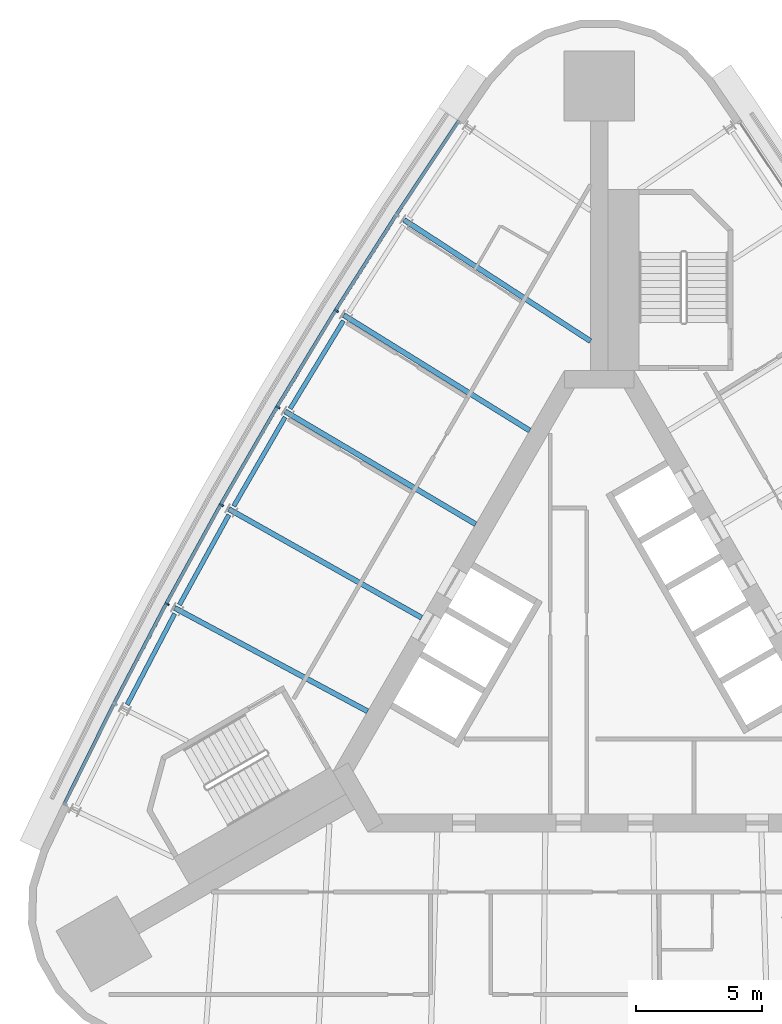
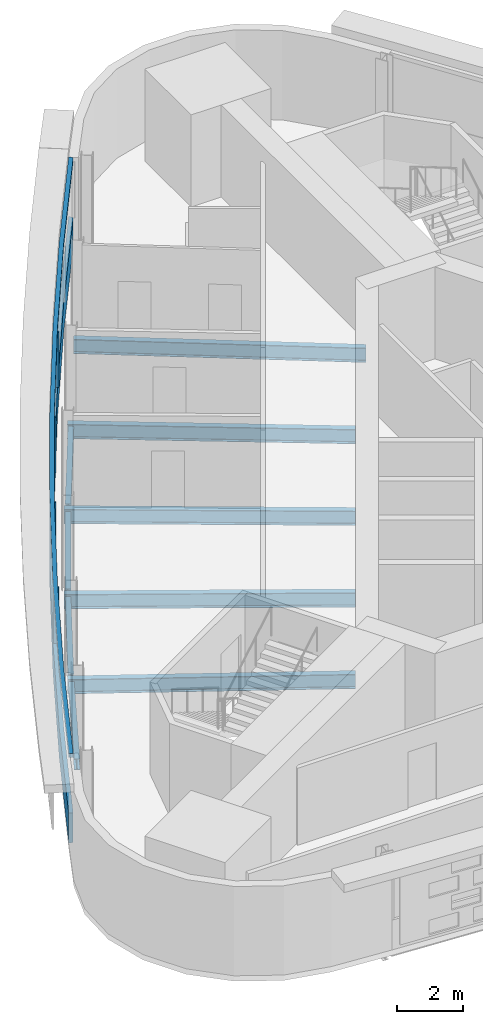
# One storey, part 5 of 15: 9 beams, 6 members, 1 element without a shape of its own.
"""IFC4 building model written with IfcOpenShell, lengths in metres."""

from ifc_helpers import new_model, si_unit, direction, frame, origin, origin_2d, place, context, subcontext, project, spatial, polyline, rectangle, i_section, outline, extrude, material, material_profile, profile_set, type_object, element, aggregate, save


model = new_model("IFC4")

# Units and contexts
model_context = context("Model", 3, precision=1e-05, world=origin(), true_north=direction((0.0, 1.0)))
body_context = subcontext(model_context, "Body", "Model", "MODEL_VIEW")
ifc_project = project(units=[si_unit("LENGTHUNIT", "METRE"), si_unit("AREAUNIT", "SQUARE_METRE"), si_unit("VOLUMEUNIT", "CUBIC_METRE"), si_unit("PLANEANGLEUNIT", "RADIAN"), si_unit("MASSUNIT", "GRAM", prefix="KILO")], contexts=[model_context])

# Site, building, storey
site_placement = place(None, origin())
site = spatial("IfcSite", under=ifc_project, at=site_placement, CompositionType="ELEMENT")
building_placement = place(site_placement, origin())
building = spatial("IfcBuilding", under=site, at=building_placement, Name="Noor Cloister Tower", CompositionType="ELEMENT")
storey_placement = place(building_placement, frame((0.0, 0.0, 177.89990234375)))
storey = spatial("IfcBuildingStorey", under=building, at=storey_placement, Name="L45", CompositionType="ELEMENT", Elevation=177.89990234375)

# Curtain wall, members
ifc_material_1 = material(Name="Aluminium 6063-T6 anodised", Category="aluminium")
curtain_wall_type = type_object("IfcCurtainWallType", Name="Ribbon curtain wall, upper tower CW5", PredefinedType="NOTDEFINED", material=ifc_material_1)
curtain_wall_placement = place(storey_placement, origin())
curtain_wall = element("IfcCurtainWall", 1, at=curtain_wall_placement, inside=storey, type_object=curtain_wall_type, Name="CW5 L45 NW run 1", PredefinedType="NOTDEFINED")
ifc_material_2 = material(Name="Aluminium 6063-T6 anodised", Category="aluminium")
member_type_1 = type_object("IfcMemberType", Name="Head transom CW5 150", PredefinedType="USERDEFINED", material=ifc_material_2)
member_1_placement = place(storey_placement, frame((0.0, 0.0, 3.150146484375)))
member_1 = element("IfcMember", 2, at=member_1_placement, type_object=member_type_1, Name="CW5 head transom", ObjectType="TRANSOM", PredefinedType="USERDEFINED", context=body_context, shape_type="SweptSolid", body=[
    extrude(outline(polyline([(-5.65234375, 21.43310546875), (-8.145263671875, 17.68701171875), (-10.55810546875, 13.888671875), (-12.89013671875, 10.0400390625), (-15.14013671875, 6.14306640625), (-17.30712890625, 2.19921875), (-19.389892578125, -1.78955078125), (-21.387939453125, -5.821533203125), (-21.262451171875, -5.8837890625), (-19.26513671875, -1.85302734375), (-17.18359375, 2.133056640625), (-15.01806640625, 6.074462890625), (-12.76953125, 9.96875), (-10.439208984375, 13.81494140625), (-8.02783203125, 17.610595703125), (-5.53564453125, 21.355712890625), (-5.65234375, 21.43310546875)])), origin(), (0.0, 0.0, 1.0), 0.14990234375),
])
ifc_material_3 = material(Name="Aluminium 6063-T6 anodised", Category="aluminium")
ifc_material_profile_1 = material_profile(ifc_material_3, rectangle(XDim=0.179931640625, YDim=0.070068359375, at=origin_2d()), Name="180 x 70 mullion")
ifc_profile_set_1 = profile_set([ifc_material_profile_1], Name="Aluminium 6063-T6 anodised")
member_type_2 = type_object("IfcMemberType", Name="Mullion CW5 70 x 180", PredefinedType="MULLION", material=ifc_profile_set_1)
member_2_placement = place(storey_placement, frame((-10.47314453125, 13.8359375, 1.10009765625), z_axis=(0.0, 0.0, 1.0), x_axis=(0.849704797145, -0.527258719899, 0.0)))
member_2 = element("IfcMember", 3, at=member_2_placement, type_object=member_type_2, Name="CW5 mullion 3", PredefinedType="MULLION", context=body_context, shape_type="SweptSolid", body=[
    extrude(rectangle(XDim=0.179931640625, YDim=0.070068359375, at=origin_2d()), origin(), (0.0, 0.0, 1.0), 2.050048828125),
])
member_3_placement = place(storey_placement, frame((-12.803955078125, 9.9892578125, 1.10009765625), z_axis=(0.0, 0.0, 1.0), x_axis=(0.860681535601, -0.509143687259, 0.0)))
member_3 = element("IfcMember", 4, at=member_3_placement, type_object=member_type_2, Name="CW5 mullion 4", PredefinedType="MULLION", context=body_context, shape_type="SweptSolid", body=[
    extrude(rectangle(XDim=0.179931640625, YDim=0.070068359375, at=origin_2d()), origin(), (0.0, 0.0, 1.0), 2.050048828125),
])
member_4_placement = place(storey_placement, frame((-15.052978515625, 6.093994140625, 1.10009765625), z_axis=(0.0, 0.0, 1.0), x_axis=(0.871272135143, -0.490800230769, 0.0)))
member_4 = element("IfcMember", 5, at=member_4_placement, type_object=member_type_2, Name="CW5 mullion 5", PredefinedType="MULLION", context=body_context, shape_type="SweptSolid", body=[
    extrude(rectangle(XDim=0.179931640625, YDim=0.070068359375, at=origin_2d()), origin(), (0.0, 0.0, 1.0), 2.050048828125),
])
member_5_placement = place(storey_placement, frame((-17.21875, 2.152099609375, 1.10009765625), z_axis=(0.0, 0.0, 1.0), x_axis=(0.881471844372, -0.472236580095, 0.0)))
member_5 = element("IfcMember", 6, at=member_5_placement, type_object=member_type_2, Name="CW5 mullion 6", PredefinedType="MULLION", context=body_context, shape_type="SweptSolid", body=[
    extrude(rectangle(XDim=0.179931640625, YDim=0.070068359375, at=origin_2d()), origin(), (0.0, 0.0, 1.0), 2.050048828125),
])

# Beams
ifc_material_4 = material(Name="Steel ASTM A992 Gr 50", Category="steel")
ifc_material_profile_2 = material_profile(ifc_material_4, i_section(OverallWidth=0.208984375, OverallDepth=0.532958984375, WebThickness=0.01025390625, FlangeThickness=0.015625, FilletRadius=0.0126953125, at=origin_2d()), Name="W530x92")
ifc_profile_set_2 = profile_set([ifc_material_profile_2], Name="Steel ASTM A992 Gr 50")
beam_type_1 = type_object("IfcBeamType", Name="Radial beam W530x92", PredefinedType="BEAM", material=ifc_profile_set_2)
beam_1_placement = place(storey_placement, frame((-7.778076171875, 17.4482421875, -0.46630859375), z_axis=(0.838346024054, -0.545138463102, 0.0), x_axis=(0.545138463102, 0.838346024054, 0.0)))
element("IfcBeam", 7, at=beam_1_placement, inside=storey, type_object=beam_type_1, Name="Radial beam NW 02 L45", PredefinedType="BEAM", context=body_context, shape_type="SweptSolid", body=[
    extrude(i_section(OverallWidth=0.208984375, OverallDepth=0.532958984375, WebThickness=0.01025390625, FlangeThickness=0.015625, FilletRadius=0.0126953125, at=origin_2d()), origin(), (0.0, 0.0, 1.0), 8.8603515625),
])
beam_2_placement = place(storey_placement, frame((-10.18603515625, 13.65771484375, -0.46630859375), z_axis=(0.849702407051, -0.52726257164, 0.0), x_axis=(0.52726257164, 0.849702407051, 0.0)))
element("IfcBeam", 8, at=beam_2_placement, inside=storey, type_object=beam_type_1, Name="Radial beam NW 03 L45", PredefinedType="BEAM", context=body_context, shape_type="SweptSolid", body=[
    extrude(i_section(OverallWidth=0.208984375, OverallDepth=0.532958984375, WebThickness=0.01025390625, FlangeThickness=0.015625, FilletRadius=0.0126953125, at=origin_2d()), origin(), (0.0, 0.0, 1.0), 8.726318359375),
])
for number, where, z_axis, x_axis, name in (
    (9, (-12.51318359375, 9.817138671875, -0.46630859375), (0.860676725075, -0.509151819122, 0.0), (0.509151819122, 0.860676725075, 0.0), "Radial beam NW 04 L45"),
    (10, (-14.758544921875, 5.92822265625, -0.46630859375), (0.871276643903, -0.490792226701, 0.0), (0.490792226701, 0.871276643903, 0.0), "Radial beam NW 05 L45"),
):
    element("IfcBeam", number, at=place(storey_placement, frame(where, z_axis=z_axis, x_axis=x_axis)), inside=storey, type_object=beam_type_1, Name=name, PredefinedType="BEAM", context=body_context, shape_type="SweptSolid", body=[
        extrude(i_section(OverallWidth=0.208984375, OverallDepth=0.532958984375, WebThickness=0.01025390625, FlangeThickness=0.015625, FilletRadius=0.0126953125, at=origin_2d()), origin(), (0.0, 0.0, 1.0), 8.817626953125),
    ])
beam_3_placement = place(storey_placement, frame((-16.9208984375, 1.992431640625, -0.46630859375), z_axis=(0.881477058611, -0.472226847122, 0.0), x_axis=(0.472226847122, 0.881477058611, 0.0)))
element("IfcBeam", 11, at=beam_3_placement, inside=storey, type_object=beam_type_1, Name="Radial beam NW 06 L45", PredefinedType="BEAM", context=body_context, shape_type="SweptSolid", body=[
    extrude(i_section(OverallWidth=0.208984375, OverallDepth=0.532958984375, WebThickness=0.01025390625, FlangeThickness=0.015625, FilletRadius=0.0126953125, at=origin_2d()), origin(), (0.0, 0.0, 1.0), 8.726318359375),
])

# Member
ifc_material_5 = material(Name="Aluminium 6063-T6 anodised", Category="aluminium")
member_type_3 = type_object("IfcMemberType", Name="Sill transom CW5 1100", PredefinedType="USERDEFINED", material=ifc_material_5)
member_6_placement = place(storey_placement, origin())
member_6 = element("IfcMember", 12, at=member_6_placement, type_object=member_type_3, Name="CW5 sill transom", ObjectType="TRANSOM", PredefinedType="USERDEFINED", context=body_context, shape_type="SweptSolid", body=[
    extrude(outline(polyline([(-5.65234375, 21.43310546875), (-8.145263671875, 17.68701171875), (-10.55810546875, 13.888671875), (-12.89013671875, 10.0400390625), (-15.14013671875, 6.14306640625), (-17.30712890625, 2.19921875), (-19.389892578125, -1.78955078125), (-21.387939453125, -5.821533203125), (-21.262451171875, -5.8837890625), (-19.26513671875, -1.85302734375), (-17.18359375, 2.133056640625), (-15.01806640625, 6.074462890625), (-12.76953125, 9.96875), (-10.439208984375, 13.81494140625), (-8.02783203125, 17.610595703125), (-5.53564453125, 21.355712890625), (-5.65234375, 21.43310546875)])), origin(), (0.0, 0.0, 1.0), 1.10009765625),
])

aggregate(curtain_wall, [member_2, member_3, member_4, member_5, member_6, member_1])

# Beams
ifc_material_6 = material(Name="Steel ASTM A992 Gr 50", Category="steel")
ifc_material_profile_3 = material_profile(ifc_material_6, i_section(OverallWidth=0.177978515625, OverallDepth=0.406005859375, WebThickness=0.0078125, FlangeThickness=0.0126953125, FilletRadius=0.01025390625, at=origin_2d()), Name="W410x60")
ifc_profile_set_3 = profile_set([ifc_material_profile_3], Name="Steel ASTM A992 Gr 50")
beam_type_2 = type_object("IfcBeamType", Name="Spandrel beam W410x60", PredefinedType="SPANDREL", material=ifc_profile_set_3)
beam_4_placement = place(storey_placement, frame((-10.19287109375, 13.43017578125, -0.40283203125), z_axis=(-0.518252817044, -0.85522746543, 0.0), x_axis=(0.85522746543, -0.518252817044, 0.0)))
element("IfcBeam", 13, at=beam_4_placement, inside=storey, type_object=beam_type_2, Name="Spandrel beam NW 03 L45", PredefinedType="SPANDREL", context=body_context, shape_type="SweptSolid", body=[
    extrude(i_section(OverallWidth=0.177978515625, OverallDepth=0.406005859375, WebThickness=0.0078125, FlangeThickness=0.0126953125, FilletRadius=0.01025390625, at=origin_2d()), origin(), (0.0, 0.0, 1.0), 4.09423828125),
])
beam_5_placement = place(storey_placement, frame((-12.515380859375, 9.589599609375, -0.40283203125), z_axis=(-0.499980532398, -0.866036643118, 0.0), x_axis=(0.866036643118, -0.499980532398, 0.0)))
element("IfcBeam", 14, at=beam_5_placement, inside=storey, type_object=beam_type_2, Name="Spandrel beam NW 04 L45", PredefinedType="SPANDREL", context=body_context, shape_type="SweptSolid", body=[
    extrude(i_section(OverallWidth=0.177978515625, OverallDepth=0.406005859375, WebThickness=0.0078125, FlangeThickness=0.0126953125, FilletRadius=0.01025390625, at=origin_2d()), origin(), (0.0, 0.0, 1.0), 4.094482421875),
])
beam_6_placement = place(storey_placement, frame((-14.755859375, 5.700439453125, -0.40283203125), z_axis=(-0.481536411785, -0.876426085945, 0.0), x_axis=(0.876426085945, -0.481536411785, 0.0)))
element("IfcBeam", 15, at=beam_6_placement, inside=storey, type_object=beam_type_2, Name="Spandrel beam NW 05 L45", PredefinedType="SPANDREL", context=body_context, shape_type="SweptSolid", body=[
    extrude(i_section(OverallWidth=0.177978515625, OverallDepth=0.406005859375, WebThickness=0.0078125, FlangeThickness=0.0126953125, FilletRadius=0.01025390625, at=origin_2d()), origin(), (0.0, 0.0, 1.0), 4.093994140625),
])
beam_7_placement = place(storey_placement, frame((-16.913330078125, 1.764892578125, -0.40283203125), z_axis=(-0.462910374698, -0.886405090801, 0.0), x_axis=(0.886405090801, -0.462910374698, 0.0)))
element("IfcBeam", 16, at=beam_7_placement, inside=storey, type_object=beam_type_2, Name="Spandrel beam NW 06 L45", PredefinedType="SPANDREL", context=body_context, shape_type="SweptSolid", body=[
    extrude(i_section(OverallWidth=0.177978515625, OverallDepth=0.406005859375, WebThickness=0.0078125, FlangeThickness=0.0126953125, FilletRadius=0.01025390625, at=origin_2d()), origin(), (0.0, 0.0, 1.0), 4.09423828125),
])

save(model, "model.ifc")
